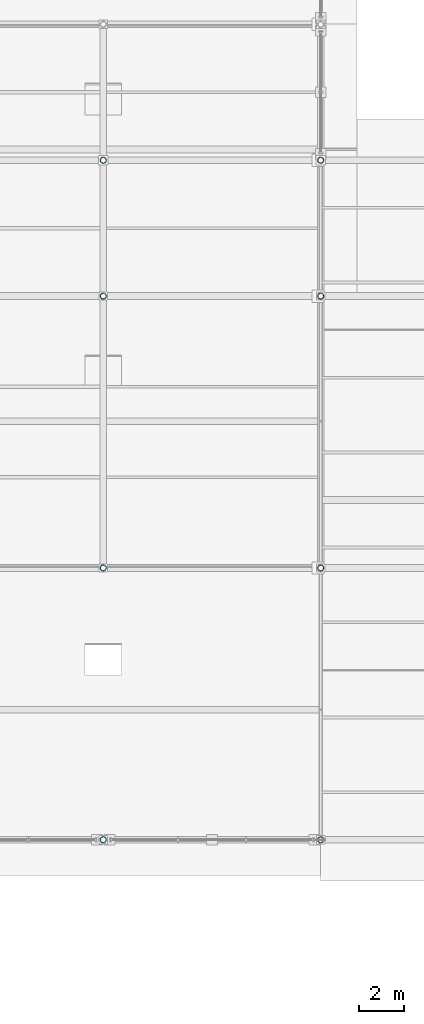
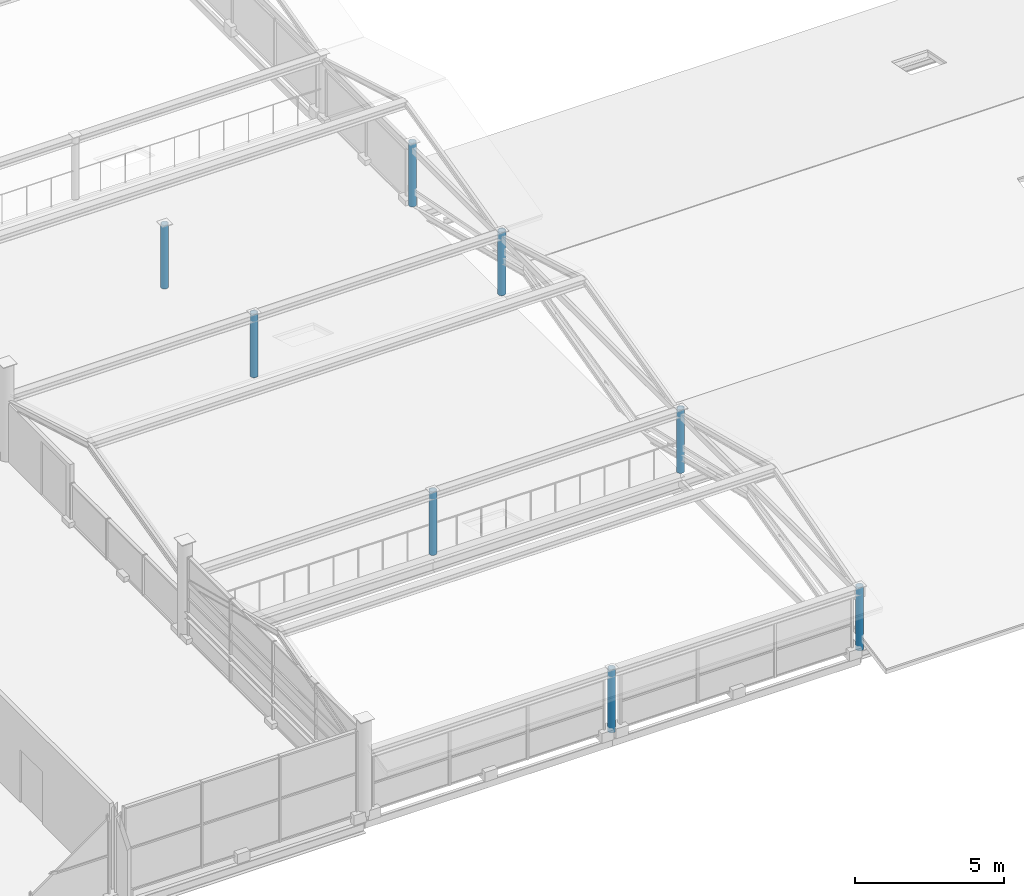
# One storey, part 6 of 117: 8 columns.
"""IFC4 building model written with IfcOpenShell, lengths in metres."""

from ifc_helpers import new_model, si_unit, direction, frame, origin, origin_2d, place, context, subcontext, project, spatial, hollow_circle, extrude, material, material_profile, profile_set, type_object, element, save


model = new_model("IFC4")

# Units and contexts
model_context = context("Model", 3, precision=1e-05, world=origin(), true_north=direction((0.0, 1.0)))
body_context = subcontext(model_context, "Body", "Model", "MODEL_VIEW")
ifc_project = project(units=[si_unit("LENGTHUNIT", "METRE"), si_unit("AREAUNIT", "SQUARE_METRE"), si_unit("VOLUMEUNIT", "CUBIC_METRE"), si_unit("PLANEANGLEUNIT", "RADIAN"), si_unit("MASSUNIT", "GRAM", prefix="KILO")], contexts=[model_context])

# Site, building, storey
site_placement = place(None, origin())
site = spatial("IfcSite", under=ifc_project, at=site_placement, CompositionType="ELEMENT")
building_placement = place(site_placement, origin())
building = spatial("IfcBuilding", under=site, at=building_placement, Name="Merenkruunu Market Hall", CompositionType="ELEMENT")
storey_placement = place(building_placement, frame((0.0, 0.0, 10.199951171875)))
storey = spatial("IfcBuildingStorey", under=building, at=storey_placement, Name="L02", CompositionType="ELEMENT", Elevation=10.199951171875)

# Columns
ifc_material = material(Name="Steel S355ML", Category="steel")
ifc_material_profile = material_profile(ifc_material, hollow_circle(Radius=0.136474609375, WallThickness=0.012451171875, at=origin_2d()), Name="CHS 273x12.5")
ifc_profile_set = profile_set([ifc_material_profile], Name="Steel S355ML")
column_type = type_object("IfcColumnType", Name="Structural Column C14", PredefinedType="COLUMN", material=ifc_profile_set)
for number, where, z_axis, x_axis, name in (
    (1, (67.199951171875, 15.60009765625, 0.0), (0.0, 0.0, 1.0), (1.0, 0.0, 0.0), "COL-L02-H-03"),
    (2, (67.199951171875, 27.60009765625, 0.0), (0.0, 0.0, 1.0), (1.0, 0.0, 0.0), "COL-L02-H-04"),
    (3, (67.199951171875, 39.60009765625, 0.0), (0.0, 0.0, 1.0), (1.0, 0.0, 0.0), "COL-L02-H-05"),
    (4, (67.199951171875, 45.60009765625, 0.0), (0.0, 0.0, 1.0), (1.0, 0.0, 0.0), "COL-L02-H-06"),
    (5, (76.800048828125, 15.60009765625, 0.0), (0.0, 0.0, 1.0), (1.0, 0.0, 0.0), "COL-L02-J-03"),
    (6, (76.800048828125, 27.60009765625, 0.0), (0.0, 0.0, 1.0), (1.0, 0.0, 0.0), "COL-L02-J-04"),
    (7, (76.800048828125, 39.60009765625, 0.0), (0.0, 0.0, 1.0), (1.0, 0.0, 0.0), "COL-L02-J-05"),
    (8, (76.800048828125, 45.60009765625, 0.0), (0.0, 0.0, 1.0), (1.0, 0.0, 0.0), "COL-L02-J-06"),
):
    element("IfcColumn", number, at=place(storey_placement, frame(where, z_axis=z_axis, x_axis=x_axis)), inside=storey, type_object=column_type, Name=name, PredefinedType="COLUMN", context=body_context, shape_type="SweptSolid", body=[
        extrude(hollow_circle(Radius=0.136474609375, WallThickness=0.012451171875, at=origin_2d()), origin(), (0.0, 0.0, 1.0), 2.60009765625),
    ])

save(model, "model.ifc")
